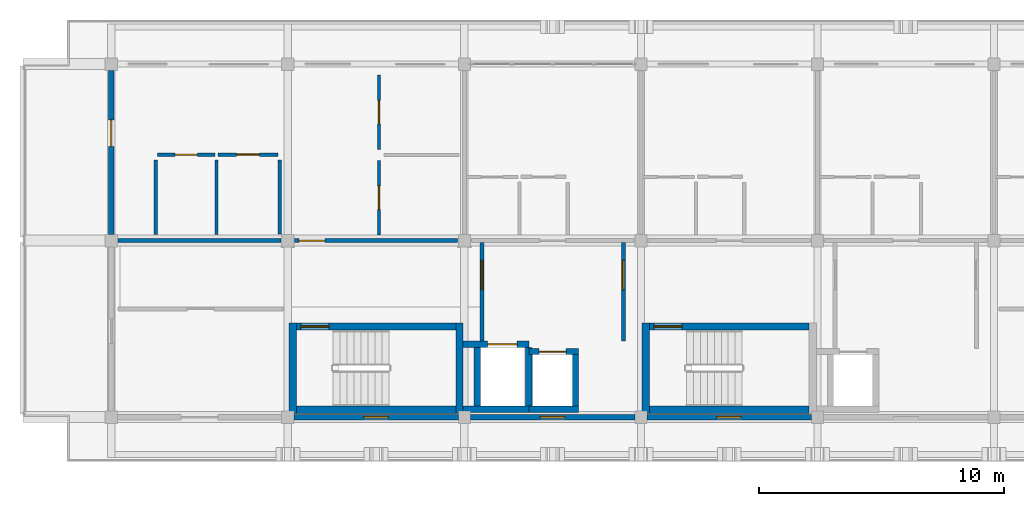
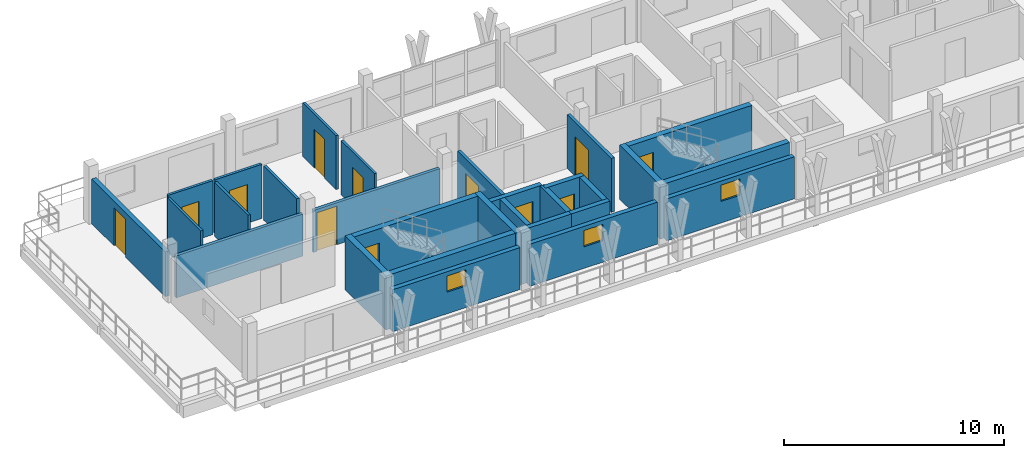
# One storey, part 4 of 9: 29 walls, 12 doors, 3 windows, 15 openings.
"""IFC4 building model written with IfcOpenShell, lengths in metres."""

from ifc_helpers import new_model, si_unit, direction, frame, frame_2d, origin, place, context, subcontext, project, spatial, rectangle, extrude, material, layer, layer_set, type_object, element, fill, save


model = new_model("IFC4")

# Units and contexts
model_context = context("Model", 3, precision=1e-05, world=origin(), true_north=direction((0.0, 1.0)))
body_context = subcontext(model_context, "Body", "Model", "MODEL_VIEW")
ifc_project = project(units=[si_unit("LENGTHUNIT", "METRE"), si_unit("AREAUNIT", "SQUARE_METRE"), si_unit("VOLUMEUNIT", "CUBIC_METRE"), si_unit("PLANEANGLEUNIT", "RADIAN"), si_unit("MASSUNIT", "GRAM", prefix="KILO")], contexts=[model_context])

# Site, building, storey
site_placement = place(None, origin())
site = spatial("IfcSite", under=ifc_project, at=site_placement, CompositionType="ELEMENT")
building_placement = place(site_placement, origin())
building = spatial("IfcBuilding", under=site, at=building_placement, Name="Suanplinth Sawtooth Commons", CompositionType="ELEMENT")
storey_placement = place(building_placement, frame((0.0, 0.0, 47.699951171875)))
storey = spatial("IfcBuildingStorey", under=building, at=storey_placement, Name="L14", CompositionType="ELEMENT", Elevation=47.699951171875)

# Wall
ifc_material_1 = material(Name="Concrete C40/50", Category="concrete")
ifc_layer_1 = layer(ifc_material_1, 0.300048828125, Name="Standard RC stair and lift core wall 300mm")
ifc_layer_set_1 = layer_set([ifc_layer_1], Name="Concrete C40/50")
wall_type_1 = type_object("IfcWallType", Name="W-CR02", PredefinedType="SHEAR", material=ifc_layer_set_1)
wall_1_placement = place(storey_placement, frame((43.550048828125, 108.300048828125, 0.0), z_axis=(0.0, 0.0, 1.0), x_axis=(1.0, 0.0, 0.0)))
element("IfcWall", 1, at=wall_1_placement, inside=storey, type_object=wall_type_1, Name="W-L14-C-A1-STS", PredefinedType="SHEAR", context=body_context, shape_type="SweptSolid", body=[
    extrude(rectangle(XDim=6.5, YDim=0.300048828125, at=frame_2d((3.25, 0.0))), origin(), (0.0, 0.0, 1.0), 3.0),
])

# Wall, opening, door
wall_2_placement = place(storey_placement, frame((43.550048828125, 111.699951171875, 0.0), z_axis=(0.0, 0.0, 1.0), x_axis=(1.0, 0.0, 0.0)))
wall_2 = element("IfcWall", 2, at=wall_2_placement, inside=storey, type_object=wall_type_1, Name="W-L14-C-A1-STN", PredefinedType="SHEAR", context=body_context, shape_type="SweptSolid", body=[
    extrude(rectangle(XDim=6.5, YDim=0.300048828125, at=frame_2d((3.25, 0.0))), origin(), (0.0, 0.0, 1.0), 3.0),
])
opening_1_placement = place(wall_2_placement, frame((0.179931640625, 0.0, 0.0)))
opening_1 = element("IfcOpeningElement", 3, at=opening_1_placement, cuts=wall_2, Name="Opening FD0076", PredefinedType="OPENING", context=body_context, shape_type="SweptSolid", body=[
    extrude(rectangle(XDim=1.14990234375, YDim=2.199951171875, at=frame_2d((0.574951171875, 1.10009765625))), frame((0.0, 0.1650390625, 0.0), z_axis=(0.0, -1.0, 0.0), x_axis=(1.0, 0.0, 0.0)), (0.0, 0.0, 1.0), 0.329833984375),
])
ifc_material_2 = material(Name="Teak hardwood fire-rated door assembly", Category="wood")
door_type_1 = type_object("IfcDoorType", Name="FD-01", OperationType="NOTDEFINED", PredefinedType="DOOR", material=ifc_material_2)
door_1_placement = place(opening_1_placement, frame((1.14990234375, 0.0, 0.0), z_axis=(0.0, 0.0, 1.0), x_axis=(-1.0, 0.0, 0.0)))
door_1 = element("IfcDoor", 4, at=door_1_placement, inside=storey, type_object=door_type_1, Name="Exit Stair Fire Door FD0076", OperationType="SINGLE_SWING_LEFT", OverallHeight=2.199951171875, OverallWidth=1.14990234375, PredefinedType="DOOR", context=body_context, shape_type="SweptSolid", body=[
    extrude(rectangle(XDim=1.14990234375, YDim=2.199951171875, at=frame_2d((0.574951171875, 1.10009765625))), frame((0.0, 0.02490234375, 0.0), z_axis=(0.0, -1.0, 0.0), x_axis=(1.0, 0.0, 0.0)), (0.0, 0.0, 1.0), 0.050048828125),
])
fill(opening_1, door_1)

# Walls
for number, where, z_axis, x_axis, name in (
    (5, (43.39990234375, 108.14990234375, 0.0), (0.0, 0.0, 1.0), (0.0, 1.0, 0.0), "W-L14-C-A1-STW"),
    (6, (50.199951171875, 108.14990234375, 0.0), (0.0, 0.0, 1.0), (0.0, 1.0, 0.0), "W-L14-C-A1-STE"),
):
    element("IfcWall", number, at=place(storey_placement, frame(where, z_axis=z_axis, x_axis=x_axis)), inside=storey, type_object=wall_type_1, Name=name, PredefinedType="SHEAR", context=body_context, shape_type="SweptSolid", body=[
        extrude(rectangle(XDim=3.7001953125, YDim=0.300048828125, at=frame_2d((1.85009765625, 0.0))), origin(), (0.0, 0.0, 1.0), 3.0),
    ])
wall_3_placement = place(storey_placement, frame((57.949951171875, 108.300048828125, 0.0), z_axis=(0.0, 0.0, 1.0), x_axis=(1.0, 0.0, 0.0)))
element("IfcWall", 7, at=wall_3_placement, inside=storey, type_object=wall_type_1, Name="W-L14-C-A2-STS", PredefinedType="SHEAR", context=body_context, shape_type="SweptSolid", body=[
    extrude(rectangle(XDim=6.5, YDim=0.300048828125, at=frame_2d((3.25, 0.0))), origin(), (0.0, 0.0, 1.0), 3.0),
])

# Wall, opening, door
wall_4_placement = place(storey_placement, frame((57.949951171875, 111.699951171875, 0.0), z_axis=(0.0, 0.0, 1.0), x_axis=(1.0, 0.0, 0.0)))
wall_4 = element("IfcWall", 8, at=wall_4_placement, inside=storey, type_object=wall_type_1, Name="W-L14-C-A2-STN", PredefinedType="SHEAR", context=body_context, shape_type="SweptSolid", body=[
    extrude(rectangle(XDim=6.5, YDim=0.300048828125, at=frame_2d((3.25, 0.0))), origin(), (0.0, 0.0, 1.0), 3.0),
])
opening_2_placement = place(wall_4_placement, frame((0.179931640625, 0.0, 0.0)))
opening_2 = element("IfcOpeningElement", 9, at=opening_2_placement, cuts=wall_4, Name="Opening FD0146", PredefinedType="OPENING", context=body_context, shape_type="SweptSolid", body=[
    extrude(rectangle(XDim=1.14990234375, YDim=2.199951171875, at=frame_2d((0.574951171875, 1.10009765625))), frame((0.0, 0.1650390625, 0.0), z_axis=(0.0, -1.0, 0.0), x_axis=(1.0, 0.0, 0.0)), (0.0, 0.0, 1.0), 0.329833984375),
])
door_2_placement = place(opening_2_placement, frame((1.14990234375, 0.0, 0.0), z_axis=(0.0, 0.0, 1.0), x_axis=(-1.0, 0.0, 0.0)))
door_2 = element("IfcDoor", 10, at=door_2_placement, inside=storey, type_object=door_type_1, Name="Exit Stair Fire Door FD0146", OperationType="SINGLE_SWING_RIGHT", OverallHeight=2.199951171875, OverallWidth=1.14990234375, PredefinedType="DOOR", context=body_context, shape_type="SweptSolid", body=[
    extrude(rectangle(XDim=1.14990234375, YDim=2.199951171875, at=frame_2d((0.574951171875, 1.10009765625))), frame((0.0, 0.02490234375, 0.0), z_axis=(0.0, -1.0, 0.0), x_axis=(1.0, 0.0, 0.0)), (0.0, 0.0, 1.0), 0.050048828125),
])
fill(opening_2, door_2)

# Wall
wall_5_placement = place(storey_placement, frame((57.800048828125, 108.14990234375, 0.0), z_axis=(0.0, 0.0, 1.0), x_axis=(0.0, 1.0, 0.0)))
element("IfcWall", 11, at=wall_5_placement, inside=storey, type_object=wall_type_1, Name="W-L14-C-A2-STW", PredefinedType="SHEAR", context=body_context, shape_type="SweptSolid", body=[
    extrude(rectangle(XDim=3.7001953125, YDim=0.300048828125, at=frame_2d((1.85009765625, 0.0))), origin(), (0.0, 0.0, 1.0), 3.0),
])

# Wall, opening, window
ifc_material_3 = material(Name="Precast concrete C40/50", Category="concrete")
ifc_layer_2 = layer(ifc_material_3, 0.239990234375, Name="Upper insulated precast facade wall 240mm")
ifc_layer_set_2 = layer_set([ifc_layer_2], Name="Precast concrete C40/50")
wall_type_2 = type_object("IfcWallType", Name="W-EX03", PredefinedType="ELEMENTEDWALL", material=ifc_layer_set_2)
wall_6_placement = place(storey_placement, frame((43.449951171875, 108.0, 0.0), z_axis=(0.0, 0.0, 1.0), x_axis=(1.0, 0.0, 0.0)))
wall_6 = element("IfcWall", 12, at=wall_6_placement, inside=storey, type_object=wall_type_2, Name="Courtyard Wall W-L14-A-S-1", PredefinedType="ELEMENTEDWALL", context=body_context, shape_type="SweptSolid", body=[
    extrude(rectangle(XDim=6.699951171875, YDim=0.239990234375, at=frame_2d((3.35009765625, 0.0))), origin(), (0.0, 0.0, 1.0), 2.3349609375),
])
opening_3_placement = place(wall_6_placement, frame((2.85009765625, 0.0, 1.199951171875)))
opening_3 = element("IfcOpeningElement", 13, at=opening_3_placement, cuts=wall_6, Name="Opening W0929", PredefinedType="OPENING", context=body_context, shape_type="SweptSolid", body=[
    extrude(rectangle(XDim=1.0, YDim=0.89990234375, at=frame_2d((0.5, 0.449951171875))), frame((0.0, 0.134765625, 0.0), z_axis=(0.0, -1.0, 0.0), x_axis=(1.0, 0.0, 0.0)), (0.0, 0.0, 1.0), 0.269775390625),
])
ifc_material_4 = material(Name="Thermally broken aluminium and low-E double glazing", Category="aluminium")
window_type = type_object("IfcWindowType", Name="WN-12", PartitioningType="SINGLE_PANEL", PredefinedType="WINDOW", material=ifc_material_4)
window_1_placement = place(opening_3_placement, origin())
window_1 = element("IfcWindow", 14, at=window_1_placement, inside=storey, type_object=window_type, Name="Core Daylight Window L14-A-1", OverallHeight=0.89990234375, OverallWidth=1.0, PartitioningType="SINGLE_PANEL", PredefinedType="WINDOW", context=body_context, shape_type="SweptSolid", body=[
    extrude(rectangle(XDim=1.0, YDim=0.89990234375, at=frame_2d((0.5, 0.449951171875))), frame((0.0, 0.030029296875, 0.0), z_axis=(0.0, -1.0, 0.0), x_axis=(1.0, 0.0, 0.0)), (0.0, 0.0, 1.0), 0.06005859375),
])
fill(opening_3, window_1)

wall_7_placement = place(storey_placement, frame((50.64990234375, 108.0, 0.0), z_axis=(0.0, 0.0, 1.0), x_axis=(1.0, 0.0, 0.0)))
wall_7 = element("IfcWall", 15, at=wall_7_placement, inside=storey, type_object=wall_type_2, Name="Courtyard Wall W-L14-A-S-2", PredefinedType="ELEMENTEDWALL", context=body_context, shape_type="SweptSolid", body=[
    extrude(rectangle(XDim=6.7001953125, YDim=0.239990234375, at=frame_2d((3.35009765625, 0.0))), origin(), (0.0, 0.0, 1.0), 2.3349609375),
])
opening_4_placement = place(wall_7_placement, frame((2.85009765625, 0.0, 1.199951171875)))
opening_4 = element("IfcOpeningElement", 16, at=opening_4_placement, cuts=wall_7, Name="Opening W0930", PredefinedType="OPENING", context=body_context, shape_type="SweptSolid", body=[
    extrude(rectangle(XDim=1.0, YDim=0.89990234375, at=frame_2d((0.5, 0.449951171875))), frame((0.0, 0.134765625, 0.0), z_axis=(0.0, -1.0, 0.0), x_axis=(1.0, 0.0, 0.0)), (0.0, 0.0, 1.0), 0.269775390625),
])
window_2_placement = place(opening_4_placement, origin())
window_2 = element("IfcWindow", 17, at=window_2_placement, inside=storey, type_object=window_type, Name="Core Daylight Window L14-A-2", OverallHeight=0.89990234375, OverallWidth=1.0, PartitioningType="SINGLE_PANEL", PredefinedType="WINDOW", context=body_context, shape_type="SweptSolid", body=[
    extrude(rectangle(XDim=1.0, YDim=0.89990234375, at=frame_2d((0.5, 0.449951171875))), frame((0.0, 0.030029296875, 0.0), z_axis=(0.0, -1.0, 0.0), x_axis=(1.0, 0.0, 0.0)), (0.0, 0.0, 1.0), 0.06005859375),
])
fill(opening_4, window_2)

wall_8_placement = place(storey_placement, frame((57.85009765625, 108.0, 0.0), z_axis=(0.0, 0.0, 1.0), x_axis=(1.0, 0.0, 0.0)))
wall_8 = element("IfcWall", 18, at=wall_8_placement, inside=storey, type_object=wall_type_2, Name="Courtyard Wall W-L14-A-S-3", PredefinedType="ELEMENTEDWALL", context=body_context, shape_type="SweptSolid", body=[
    extrude(rectangle(XDim=6.699951171875, YDim=0.239990234375, at=frame_2d((3.35009765625, 0.0))), origin(), (0.0, 0.0, 1.0), 2.3349609375),
])
opening_5_placement = place(wall_8_placement, frame((2.85009765625, 0.0, 1.199951171875)))
opening_5 = element("IfcOpeningElement", 19, at=opening_5_placement, cuts=wall_8, Name="Opening W0932", PredefinedType="OPENING", context=body_context, shape_type="SweptSolid", body=[
    extrude(rectangle(XDim=1.0, YDim=0.89990234375, at=frame_2d((0.5, 0.449951171875))), frame((0.0, 0.134765625, 0.0), z_axis=(0.0, -1.0, 0.0), x_axis=(1.0, 0.0, 0.0)), (0.0, 0.0, 1.0), 0.269775390625),
])
window_3_placement = place(opening_5_placement, origin())
window_3 = element("IfcWindow", 20, at=window_3_placement, inside=storey, type_object=window_type, Name="Core Daylight Window L14-A-3", OverallHeight=0.89990234375, OverallWidth=1.0, PartitioningType="SINGLE_PANEL", PredefinedType="WINDOW", context=body_context, shape_type="SweptSolid", body=[
    extrude(rectangle(XDim=1.0, YDim=0.89990234375, at=frame_2d((0.5, 0.449951171875))), frame((0.0, 0.030029296875, 0.0), z_axis=(0.0, -1.0, 0.0), x_axis=(1.0, 0.0, 0.0)), (0.0, 0.0, 1.0), 0.06005859375),
])
fill(opening_5, window_3)

# Wall, opening, door
ifc_layer_3 = layer(ifc_material_3, 0.22998046875, Name="Stepped terrace insulated precast wall 230mm")
ifc_layer_set_3 = layer_set([ifc_layer_3], Name="Precast concrete C40/50")
wall_type_3 = type_object("IfcWallType", Name="W-EX06", PredefinedType="ELEMENTEDWALL", material=ifc_layer_set_3)
wall_9_placement = place(storey_placement, frame((36.0, 115.449951171875, 0.0), z_axis=(0.0, 0.0, 1.0), x_axis=(0.0, 1.0, 0.0)))
wall_9 = element("IfcWall", 21, at=wall_9_placement, inside=storey, type_object=wall_type_3, Name="End Wall W-L14-A-W-16", PredefinedType="ELEMENTEDWALL", context=body_context, shape_type="SweptSolid", body=[
    extrude(rectangle(XDim=6.699951171875, YDim=0.22998046875, at=frame_2d((3.35009765625, 0.0))), origin(), (0.0, 0.0, 1.0), 2.485107421875),
])
opening_6_placement = place(wall_9_placement, frame((3.60009765625, 0.0, 0.0)))
opening_6 = element("IfcOpeningElement", 22, at=opening_6_placement, cuts=wall_9, Name="Opening ED0852", PredefinedType="OPENING", context=body_context, shape_type="SweptSolid", body=[
    extrude(rectangle(XDim=1.080078125, YDim=2.1201171875, at=frame_2d((0.5400390625, 1.06005859375))), frame((0.0, 0.1298828125, 0.0), z_axis=(0.0, -1.0, 0.0), x_axis=(1.0, 0.0, 0.0)), (0.0, 0.0, 1.0), 0.259765625),
])
ifc_material_5 = material(Name="Anodized aluminium and low-E glass", Category="aluminium")
door_type_2 = type_object("IfcDoorType", Name="ED-10", OperationType="NOTDEFINED", PredefinedType="DOOR", material=ifc_material_5)
door_3_placement = place(opening_6_placement, frame((1.080078125, 0.0, 0.0), z_axis=(0.0, 0.0, 1.0), x_axis=(-1.0, 0.0, 0.0)))
door_3 = element("IfcDoor", 23, at=door_3_placement, inside=storey, type_object=door_type_2, Name="L14 Block A W Stepped Terrace Door", OperationType="SINGLE_SWING_RIGHT", OverallHeight=2.1201171875, OverallWidth=1.080078125, PredefinedType="DOOR", context=body_context, shape_type="SweptSolid", body=[
    extrude(rectangle(XDim=1.080078125, YDim=2.1201171875, at=frame_2d((0.5400390625, 1.06005859375))), frame((0.0, 0.02490234375, 0.0), z_axis=(0.0, -1.0, 0.0), x_axis=(1.0, 0.0, 0.0)), (0.0, 0.0, 1.0), 0.050048828125),
])
fill(opening_6, door_3)

ifc_layer_4 = layer(ifc_material_3, 0.159912109375, Name="Fire-rated corridor and lobby wall 160mm")
ifc_layer_set_4 = layer_set([ifc_layer_4], Name="Precast concrete C40/50")
wall_type_4 = type_object("IfcWallType", Name="W-FW01", PredefinedType="PARTITIONING", material=ifc_layer_set_4)
wall_10_placement = place(storey_placement, frame((51.1201171875, 111.10009765625, 0.0), z_axis=(0.0, 0.0, 1.0), x_axis=(0.0, 1.0, 0.0)))
wall_10 = element("IfcWall", 24, at=wall_10_placement, inside=storey, type_object=wall_type_4, Name="W-L14-C-A1-LOB-W", PredefinedType="PARTITIONING", context=body_context, shape_type="SweptSolid", body=[
    extrude(rectangle(XDim=4.02001953125, YDim=0.159912109375, at=frame_2d((2.010009765625, 0.0))), origin(), (0.0, 0.0, 1.0), 3.0),
])
opening_7_placement = place(wall_10_placement, frame((2.10009765625, 0.0, 0.0)))
opening_7 = element("IfcOpeningElement", 25, at=opening_7_placement, cuts=wall_10, Name="Opening FD0077", PredefinedType="OPENING", context=body_context, shape_type="SweptSolid", body=[
    extrude(rectangle(XDim=1.199951171875, YDim=2.199951171875, at=frame_2d((0.60009765625, 1.10009765625))), frame((0.0, 0.0947265625, 0.0), z_axis=(0.0, -1.0, 0.0), x_axis=(1.0, 0.0, 0.0)), (0.0, 0.0, 1.0), 0.189697265625),
])
door_type_3 = type_object("IfcDoorType", Name="FD-02", OperationType="NOTDEFINED", PredefinedType="DOOR", material=ifc_material_2)
door_4_placement = place(opening_7_placement, origin())
door_4 = element("IfcDoor", 26, at=door_4_placement, inside=storey, type_object=door_type_3, Name="Lobby Fire Door FD0077", OperationType="SINGLE_SWING_RIGHT", OverallHeight=2.199951171875, OverallWidth=1.199951171875, PredefinedType="DOOR", context=body_context, shape_type="SweptSolid", body=[
    extrude(rectangle(XDim=1.199951171875, YDim=2.199951171875, at=frame_2d((0.60009765625, 1.10009765625))), frame((0.0, 0.02490234375, 0.0), z_axis=(0.0, -1.0, 0.0), x_axis=(1.0, 0.0, 0.0)), (0.0, 0.0, 1.0), 0.050048828125),
])
fill(opening_7, door_4)

wall_11_placement = place(storey_placement, frame((56.8798828125, 111.10009765625, 0.0), z_axis=(0.0, 0.0, 1.0), x_axis=(0.0, 1.0, 0.0)))
wall_11 = element("IfcWall", 27, at=wall_11_placement, inside=storey, type_object=wall_type_4, Name="W-L14-C-A1-LOB-E", PredefinedType="PARTITIONING", context=body_context, shape_type="SweptSolid", body=[
    extrude(rectangle(XDim=4.02001953125, YDim=0.159912109375, at=frame_2d((2.010009765625, 0.0))), origin(), (0.0, 0.0, 1.0), 3.0),
])
opening_8_placement = place(wall_11_placement, frame((2.10009765625, 0.0, 0.0)))
opening_8 = element("IfcOpeningElement", 28, at=opening_8_placement, cuts=wall_11, Name="Opening FD0078", PredefinedType="OPENING", context=body_context, shape_type="SweptSolid", body=[
    extrude(rectangle(XDim=1.199951171875, YDim=2.199951171875, at=frame_2d((0.60009765625, 1.10009765625))), frame((0.0, 0.0947265625, 0.0), z_axis=(0.0, -1.0, 0.0), x_axis=(1.0, 0.0, 0.0)), (0.0, 0.0, 1.0), 0.189697265625),
])
door_5_placement = place(opening_8_placement, frame((1.199951171875, 0.0, 0.0), z_axis=(0.0, 0.0, 1.0), x_axis=(-1.0, 0.0, 0.0)))
door_5 = element("IfcDoor", 29, at=door_5_placement, inside=storey, type_object=door_type_3, Name="Lobby Fire Door FD0078", OperationType="SINGLE_SWING_LEFT", OverallHeight=2.199951171875, OverallWidth=1.199951171875, PredefinedType="DOOR", context=body_context, shape_type="SweptSolid", body=[
    extrude(rectangle(XDim=1.199951171875, YDim=2.199951171875, at=frame_2d((0.60009765625, 1.10009765625))), frame((0.0, 0.02490234375, 0.0), z_axis=(0.0, -1.0, 0.0), x_axis=(1.0, 0.0, 0.0)), (0.0, 0.0, 1.0), 0.050048828125),
])
fill(opening_8, door_5)

# Wall
wall_12_placement = place(storey_placement, frame((36.280029296875, 115.199951171875, 0.0), z_axis=(0.0, 0.0, 1.0), x_axis=(1.0, 0.0, 0.0)))
element("IfcWall", 30, at=wall_12_placement, inside=storey, type_object=wall_type_4, Name="W-A-L14-U01-COR-S1", PredefinedType="PARTITIONING", context=body_context, shape_type="SweptSolid", body=[
    extrude(rectangle(XDim=6.639892578125, YDim=0.159912109375, at=frame_2d((3.31982421875, 0.0))), origin(), (0.0, 0.0, 1.0), 2.3349609375),
])

# Wall, opening, door
wall_13_placement = place(storey_placement, frame((43.47998046875, 115.199951171875, 0.0), z_axis=(0.0, 0.0, 1.0), x_axis=(1.0, 0.0, 0.0)))
wall_13 = element("IfcWall", 31, at=wall_13_placement, inside=storey, type_object=wall_type_4, Name="W-A-L14-U01-COR-S2", PredefinedType="PARTITIONING", context=body_context, shape_type="SweptSolid", body=[
    extrude(rectangle(XDim=6.64013671875, YDim=0.159912109375, at=frame_2d((3.320068359375, 0.0))), origin(), (0.0, 0.0, 1.0), 2.3349609375),
])
opening_9_placement = place(wall_13_placement, frame((0.179931640625, 0.0, 0.0)))
opening_9 = element("IfcOpeningElement", 32, at=opening_9_placement, cuts=wall_13, Name="Opening FD2055", PredefinedType="OPENING", context=body_context, shape_type="SweptSolid", body=[
    extrude(rectangle(XDim=1.050048828125, YDim=2.14990234375, at=frame_2d((0.52490234375, 1.074951171875))), frame((0.0, 0.0947265625, 0.0), z_axis=(0.0, -1.0, 0.0), x_axis=(1.0, 0.0, 0.0)), (0.0, 0.0, 1.0), 0.189697265625),
])
door_type_4 = type_object("IfcDoorType", Name="FD-04", OperationType="NOTDEFINED", PredefinedType="DOOR", material=ifc_material_2)
door_6_placement = place(opening_9_placement, origin())
door_6 = element("IfcDoor", 33, at=door_6_placement, inside=storey, type_object=door_type_4, Name="Unit Entrance Door FD2055", OperationType="SINGLE_SWING_LEFT", OverallHeight=2.14990234375, OverallWidth=1.050048828125, PredefinedType="DOOR", context=body_context, shape_type="SweptSolid", body=[
    extrude(rectangle(XDim=1.050048828125, YDim=2.14990234375, at=frame_2d((0.52490234375, 1.074951171875))), frame((0.0, 0.02490234375, 0.0), z_axis=(0.0, -1.0, 0.0), x_axis=(1.0, 0.0, 0.0)), (0.0, 0.0, 1.0), 0.050048828125),
])
fill(opening_9, door_6)

ifc_material_6 = material(Name="Gypsum plasterboard on steel stud", Category="steel")
ifc_layer_5 = layer(ifc_material_6, 0.139892578125, Name="Fire-rated kitchen partition 140mm")
ifc_layer_set_5 = layer_set([ifc_layer_5], Name="Gypsum plasterboard on steel stud")
wall_type_5 = type_object("IfcWallType", Name="W-PT01", PredefinedType="PARTITIONING", material=ifc_layer_set_5)
wall_14_placement = place(storey_placement, frame((40.35009765625, 118.7099609375, 0.0), z_axis=(0.0, 0.0, 1.0), x_axis=(1.0, 0.0, 0.0)))
wall_14 = element("IfcWall", 34, at=wall_14_placement, inside=storey, type_object=wall_type_5, Name="W-A-L14-U01-KIT1", PredefinedType="PARTITIONING", context=body_context, shape_type="SweptSolid", body=[
    extrude(rectangle(XDim=2.449951171875, YDim=0.139892578125, at=frame_2d((1.22509765625, 0.0))), origin(), (0.0, 0.0, 1.0), 3.0),
])
opening_10_placement = place(wall_14_placement, frame((0.760009765625, 0.0, 0.0)))
opening_10 = element("IfcOpeningElement", 35, at=opening_10_placement, cuts=wall_14, Name="Opening D2057", PredefinedType="OPENING", context=body_context, shape_type="SweptSolid", body=[
    extrude(rectangle(XDim=0.929931640625, YDim=2.139892578125, at=frame_2d((0.46484375, 1.06982421875))), frame((0.0, 0.0849609375, 0.0), z_axis=(0.0, -1.0, 0.0), x_axis=(1.0, 0.0, 0.0)), (0.0, 0.0, 1.0), 0.169677734375),
])
ifc_material_7 = material(Name="Teak hardwood", Category="wood")
door_type_5 = type_object("IfcDoorType", Name="D-19", OperationType="NOTDEFINED", PredefinedType="DOOR", material=ifc_material_7)
door_7_placement = place(opening_10_placement, frame((0.929931640625, 0.0, 0.0), z_axis=(0.0, 0.0, 1.0), x_axis=(-1.0, 0.0, 0.0)))
door_7 = element("IfcDoor", 36, at=door_7_placement, inside=storey, type_object=door_type_5, Name="Kitchen Door D2057", OperationType="SINGLE_SWING_LEFT", OverallHeight=2.139892578125, OverallWidth=0.929931640625, PredefinedType="DOOR", context=body_context, shape_type="SweptSolid", body=[
    extrude(rectangle(XDim=0.929931640625, YDim=2.139892578125, at=frame_2d((0.46484375, 1.06982421875))), frame((0.0, 0.02490234375, 0.0), z_axis=(0.0, -1.0, 0.0), x_axis=(1.0, 0.0, 0.0)), (0.0, 0.0, 1.0), 0.050048828125),
])
fill(opening_10, door_7)

# Wall
wall_15_placement = place(storey_placement, frame((42.8701171875, 115.47998046875, 0.0), z_axis=(0.0, 0.0, 1.0), x_axis=(0.0, 1.0, 0.0)))
element("IfcWall", 37, at=wall_15_placement, inside=storey, type_object=wall_type_5, Name="W-A-L14-U01-KIT2", PredefinedType="PARTITIONING", context=body_context, shape_type="SweptSolid", body=[
    extrude(rectangle(XDim=3.010009765625, YDim=0.139892578125, at=frame_2d((1.5048828125, 0.0))), origin(), (0.0, 0.0, 1.0), 3.0),
])

# Wall, opening, door
ifc_layer_6 = layer(ifc_material_6, 0.1298828125, Name="Moisture-resistant bathroom partition 130mm")
ifc_layer_set_6 = layer_set([ifc_layer_6], Name="Gypsum plasterboard on steel stud")
wall_type_6 = type_object("IfcWallType", Name="W-PT02", PredefinedType="PARTITIONING", material=ifc_layer_set_6)
wall_16_placement = place(storey_placement, frame((37.8798828125, 118.705078125, 0.0), z_axis=(0.0, 0.0, 1.0), x_axis=(1.0, 0.0, 0.0)))
wall_16 = element("IfcWall", 38, at=wall_16_placement, inside=storey, type_object=wall_type_6, Name="W-A-L14-U01-BTH1", PredefinedType="PARTITIONING", context=body_context, shape_type="SweptSolid", body=[
    extrude(rectangle(XDim=2.35009765625, YDim=0.1298828125, at=frame_2d((1.175048828125, 0.0))), origin(), (0.0, 0.0, 1.0), 3.0),
])
opening_11_placement = place(wall_16_placement, frame((0.72509765625, 0.0, 0.0)))
opening_11 = element("IfcOpeningElement", 39, at=opening_11_placement, cuts=wall_16, Name="Opening D2056", PredefinedType="OPENING", context=body_context, shape_type="SweptSolid", body=[
    extrude(rectangle(XDim=0.89990234375, YDim=2.10009765625, at=frame_2d((0.449951171875, 1.050048828125))), frame((0.0, 0.079833984375, 0.0), z_axis=(0.0, -1.0, 0.0), x_axis=(1.0, 0.0, 0.0)), (0.0, 0.0, 1.0), 0.15966796875),
])
door_type_6 = type_object("IfcDoorType", Name="D-01", OperationType="NOTDEFINED", PredefinedType="DOOR", material=ifc_material_7)
door_8_placement = place(opening_11_placement, frame((0.89990234375, 0.0, 0.0), z_axis=(0.0, 0.0, 1.0), x_axis=(-1.0, 0.0, 0.0)))
door_8 = element("IfcDoor", 40, at=door_8_placement, inside=storey, type_object=door_type_6, Name="Bathroom Door D2056", OperationType="SINGLE_SWING_RIGHT", OverallHeight=2.10009765625, OverallWidth=0.89990234375, PredefinedType="DOOR", context=body_context, shape_type="SweptSolid", body=[
    extrude(rectangle(XDim=0.89990234375, YDim=2.10009765625, at=frame_2d((0.449951171875, 1.050048828125))), frame((0.0, 0.02490234375, 0.0), z_axis=(0.0, -1.0, 0.0), x_axis=(1.0, 0.0, 0.0)), (0.0, 0.0, 1.0), 0.050048828125),
])
fill(opening_11, door_8)

# Walls
for number, where, z_axis, x_axis, name in (
    (41, (40.294921875, 115.4599609375, 0.0), (0.0, 0.0, 1.0), (0.0, 1.0, 0.0), "W-A-L14-U01-BTH2"),
    (42, (37.81494140625, 115.4599609375, 0.0), (0.0, 0.0, 1.0), (0.0, 1.0, 0.0), "W-A-L14-U01-BTH3"),
):
    element("IfcWall", number, at=place(storey_placement, frame(where, z_axis=z_axis, x_axis=x_axis)), inside=storey, type_object=wall_type_6, Name=name, PredefinedType="PARTITIONING", context=body_context, shape_type="SweptSolid", body=[
        extrude(rectangle(XDim=3.0400390625, YDim=0.1298828125, at=frame_2d((1.52001953125, 0.0))), origin(), (0.0, 0.0, 1.0), 3.0),
    ])

# Wall, opening, door
ifc_layer_7 = layer(ifc_material_6, 0.1201171875, Name="Acoustic bedroom partition 120mm")
ifc_layer_set_7 = layer_set([ifc_layer_7], Name="Gypsum plasterboard on steel stud")
wall_type_7 = type_object("IfcWallType", Name="W-PT03", PredefinedType="PARTITIONING", material=ifc_layer_set_7)
wall_17_placement = place(storey_placement, frame((46.919921875, 118.919921875, 0.0), z_axis=(0.0, 0.0, 1.0), x_axis=(0.0, 1.0, 0.0)))
wall_17 = element("IfcWall", 43, at=wall_17_placement, inside=storey, type_object=wall_type_7, Name="W-A-L14-U01-BED1", PredefinedType="PARTITIONING", context=body_context, shape_type="SweptSolid", body=[
    extrude(rectangle(XDim=3.0400390625, YDim=0.1201171875, at=frame_2d((1.52001953125, 0.0))), origin(), (0.0, 0.0, 1.0), 3.0),
])
opening_12_placement = place(wall_17_placement, frame((1.044921875, 0.0, 0.0)))
opening_12 = element("IfcOpeningElement", 44, at=opening_12_placement, cuts=wall_17, Name="Opening D2058", PredefinedType="OPENING", context=body_context, shape_type="SweptSolid", body=[
    extrude(rectangle(XDim=0.949951171875, YDim=2.14990234375, at=frame_2d((0.47509765625, 1.074951171875))), frame((0.0, 0.074951171875, 0.0), z_axis=(0.0, -1.0, 0.0), x_axis=(1.0, 0.0, 0.0)), (0.0, 0.0, 1.0), 0.14990234375),
])
door_type_7 = type_object("IfcDoorType", Name="D-03", OperationType="NOTDEFINED", PredefinedType="DOOR", material=ifc_material_7)
door_9_placement = place(opening_12_placement, frame((0.949951171875, 0.0, 0.0), z_axis=(0.0, 0.0, 1.0), x_axis=(-1.0, 0.0, 0.0)))
door_9 = element("IfcDoor", 45, at=door_9_placement, inside=storey, type_object=door_type_7, Name="Bedroom Door D2058", OperationType="SINGLE_SWING_RIGHT", OverallHeight=2.14990234375, OverallWidth=0.949951171875, PredefinedType="DOOR", context=body_context, shape_type="SweptSolid", body=[
    extrude(rectangle(XDim=0.949951171875, YDim=2.14990234375, at=frame_2d((0.47509765625, 1.074951171875))), frame((0.0, 0.02490234375, 0.0), z_axis=(0.0, -1.0, 0.0), x_axis=(1.0, 0.0, 0.0)), (0.0, 0.0, 1.0), 0.050048828125),
])
fill(opening_12, door_9)

wall_18_placement = place(storey_placement, frame((46.919921875, 115.43994140625, 0.0), z_axis=(0.0, 0.0, 1.0), x_axis=(0.0, 1.0, 0.0)))
wall_18 = element("IfcWall", 46, at=wall_18_placement, inside=storey, type_object=wall_type_7, Name="W-A-L14-U01-BED2", PredefinedType="PARTITIONING", context=body_context, shape_type="SweptSolid", body=[
    extrude(rectangle(XDim=3.0400390625, YDim=0.1201171875, at=frame_2d((1.52001953125, 0.0))), origin(), (0.0, 0.0, 1.0), 3.0),
])
opening_13_placement = place(wall_18_placement, frame((1.0400390625, 0.0, 0.0)))
opening_13 = element("IfcOpeningElement", 47, at=opening_13_placement, cuts=wall_18, Name="Opening D2059", PredefinedType="OPENING", context=body_context, shape_type="SweptSolid", body=[
    extrude(rectangle(XDim=0.9599609375, YDim=2.14990234375, at=frame_2d((0.47998046875, 1.074951171875))), frame((0.0, 0.074951171875, 0.0), z_axis=(0.0, -1.0, 0.0), x_axis=(1.0, 0.0, 0.0)), (0.0, 0.0, 1.0), 0.14990234375),
])
door_type_8 = type_object("IfcDoorType", Name="D-13", OperationType="NOTDEFINED", PredefinedType="DOOR", material=ifc_material_7)
door_10_placement = place(opening_13_placement, frame((0.9599609375, 0.0, 0.0), z_axis=(0.0, 0.0, 1.0), x_axis=(-1.0, 0.0, 0.0)))
door_10 = element("IfcDoor", 48, at=door_10_placement, inside=storey, type_object=door_type_8, Name="Second Bedroom Door D2059", OperationType="SINGLE_SWING_LEFT", OverallHeight=2.14990234375, OverallWidth=0.9599609375, PredefinedType="DOOR", context=body_context, shape_type="SweptSolid", body=[
    extrude(rectangle(XDim=0.9599609375, YDim=2.14990234375, at=frame_2d((0.47998046875, 1.074951171875))), frame((0.0, 0.02490234375, 0.0), z_axis=(0.0, -1.0, 0.0), x_axis=(1.0, 0.0, 0.0)), (0.0, 0.0, 1.0), 0.050048828125),
])
fill(opening_13, door_10)

# Wall
ifc_layer_8 = layer(ifc_material_3, 0.25, Name="Precast structural shear wall 250mm")
ifc_layer_set_8 = layer_set([ifc_layer_8], Name="Precast concrete C40/50")
wall_type_8 = type_object("IfcWallType", Name="W-SH01", PredefinedType="SHEAR", material=ifc_layer_set_8)
wall_19_placement = place(storey_placement, frame((50.35009765625, 108.324951171875, 0.0), z_axis=(0.0, 0.0, 1.0), x_axis=(1.0, 0.0, 0.0)))
element("IfcWall", 49, at=wall_19_placement, inside=storey, type_object=wall_type_8, Name="W-L14-FL1-S", PredefinedType="SHEAR", context=body_context, shape_type="SweptSolid", body=[
    extrude(rectangle(XDim=2.6748046875, YDim=0.25, at=frame_2d((1.33740234375, 0.0))), origin(), (0.0, 0.0, 1.0), 3.0),
])

# Wall, opening, door
wall_20_placement = place(storey_placement, frame((50.35009765625, 110.97509765625, 0.0), z_axis=(0.0, 0.0, 1.0), x_axis=(1.0, 0.0, 0.0)))
wall_20 = element("IfcWall", 50, at=wall_20_placement, inside=storey, type_object=wall_type_8, Name="W-L14-FL1-N", PredefinedType="SHEAR", context=body_context, shape_type="SweptSolid", body=[
    extrude(rectangle(XDim=2.6748046875, YDim=0.25, at=frame_2d((1.33740234375, 0.0))), origin(), (0.0, 0.0, 1.0), 3.0),
])
opening_14_placement = place(wall_20_placement, frame((1.0, 0.0, 0.0)))
opening_14 = element("IfcOpeningElement", 51, at=opening_14_placement, cuts=wall_20, Name="Opening LD0079", PredefinedType="OPENING", context=body_context, shape_type="SweptSolid", body=[
    extrude(rectangle(XDim=1.199951171875, YDim=2.25, at=frame_2d((0.60009765625, 1.125))), frame((0.0, 0.139892578125, 0.0), z_axis=(0.0, -1.0, 0.0), x_axis=(1.0, 0.0, 0.0)), (0.0, 0.0, 1.0), 0.27978515625),
])
ifc_material_8 = material(Name="Stainless steel Grade 304", Category="steel")
door_type_9 = type_object("IfcDoorType", Name="LD-02", OperationType="SLIDING_TO_LEFT", PredefinedType="DOOR", material=ifc_material_8)
door_11_placement = place(opening_14_placement, origin())
door_11 = element("IfcDoor", 52, at=door_11_placement, inside=storey, type_object=door_type_9, Name="Lift Landing Sliding Door FL1 L14", OperationType="SLIDING_TO_LEFT", OverallHeight=2.25, OverallWidth=1.199951171875, PredefinedType="DOOR", context=body_context, shape_type="SweptSolid", body=[
    extrude(rectangle(XDim=1.199951171875, YDim=2.25, at=frame_2d((0.60009765625, 1.125))), frame((0.0, 0.02490234375, 0.0), z_axis=(0.0, -1.0, 0.0), x_axis=(1.0, 0.0, 0.0)), (0.0, 0.0, 1.0), 0.050048828125),
])
fill(opening_14, door_11)

# Walls
for number, where, z_axis, x_axis, name in (
    (53, (50.925048828125, 108.449951171875, 0.0), (0.0, 0.0, 1.0), (0.0, 1.0, 0.0), "W-L14-FL1-W"),
    (54, (53.02490234375, 108.449951171875, 0.0), (0.0, 0.0, 1.0), (0.0, 1.0, 0.0), "W-L14-FL1-DIV"),
):
    element("IfcWall", number, at=place(storey_placement, frame(where, z_axis=z_axis, x_axis=x_axis)), inside=storey, type_object=wall_type_8, Name=name, PredefinedType="SHEAR", context=body_context, shape_type="SweptSolid", body=[
        extrude(rectangle(XDim=2.400146484375, YDim=0.25, at=frame_2d((1.2001953125, 0.0))), origin(), (0.0, 0.0, 1.0), 3.0),
    ])
wall_21_placement = place(storey_placement, frame((53.02490234375, 108.324951171875, 0.0), z_axis=(0.0, 0.0, 1.0), x_axis=(1.0, 0.0, 0.0)))
element("IfcWall", 55, at=wall_21_placement, inside=storey, type_object=wall_type_8, Name="W-L14-LF1-S", PredefinedType="SHEAR", context=body_context, shape_type="SweptSolid", body=[
    extrude(rectangle(XDim=2.025146484375, YDim=0.25, at=frame_2d((1.0126953125, 0.0))), origin(), (0.0, 0.0, 1.0), 3.0),
])

# Wall, opening, door
wall_22_placement = place(storey_placement, frame((53.02490234375, 110.675048828125, 0.0), z_axis=(0.0, 0.0, 1.0), x_axis=(1.0, 0.0, 0.0)))
wall_22 = element("IfcWall", 56, at=wall_22_placement, inside=storey, type_object=wall_type_8, Name="W-L14-LF1-N", PredefinedType="SHEAR", context=body_context, shape_type="SweptSolid", body=[
    extrude(rectangle(XDim=2.025146484375, YDim=0.25, at=frame_2d((1.0126953125, 0.0))), origin(), (0.0, 0.0, 1.0), 3.0),
])
opening_15_placement = place(wall_22_placement, frame((0.425048828125, 0.0, 0.0)))
opening_15 = element("IfcOpeningElement", 57, at=opening_15_placement, cuts=wall_22, Name="Opening LD0080", PredefinedType="OPENING", context=body_context, shape_type="SweptSolid", body=[
    extrude(rectangle(XDim=1.10009765625, YDim=2.14990234375, at=frame_2d((0.550048828125, 1.074951171875))), frame((0.0, 0.139892578125, 0.0), z_axis=(0.0, -1.0, 0.0), x_axis=(1.0, 0.0, 0.0)), (0.0, 0.0, 1.0), 0.27978515625),
])
door_type_10 = type_object("IfcDoorType", Name="LD-01", OperationType="SLIDING_TO_LEFT", PredefinedType="DOOR", material=ifc_material_8)
door_12_placement = place(opening_15_placement, origin())
door_12 = element("IfcDoor", 58, at=door_12_placement, inside=storey, type_object=door_type_10, Name="Lift Landing Sliding Door LF1 L14", OperationType="SLIDING_TO_LEFT", OverallHeight=2.14990234375, OverallWidth=1.10009765625, PredefinedType="DOOR", context=body_context, shape_type="SweptSolid", body=[
    extrude(rectangle(XDim=1.10009765625, YDim=2.14990234375, at=frame_2d((0.550048828125, 1.074951171875))), frame((0.0, 0.02490234375, 0.0), z_axis=(0.0, -1.0, 0.0), x_axis=(1.0, 0.0, 0.0)), (0.0, 0.0, 1.0), 0.050048828125),
])
fill(opening_15, door_12)

# Wall
wall_23_placement = place(storey_placement, frame((54.925048828125, 108.449951171875, 0.0), z_axis=(0.0, 0.0, 1.0), x_axis=(0.0, 1.0, 0.0)))
element("IfcWall", 59, at=wall_23_placement, inside=storey, type_object=wall_type_8, Name="W-L14-LF1-E", PredefinedType="SHEAR", context=body_context, shape_type="SweptSolid", body=[
    extrude(rectangle(XDim=2.10009765625, YDim=0.25, at=frame_2d((1.050048828125, 0.0))), origin(), (0.0, 0.0, 1.0), 3.0),
])

save(model, "model.ifc")
